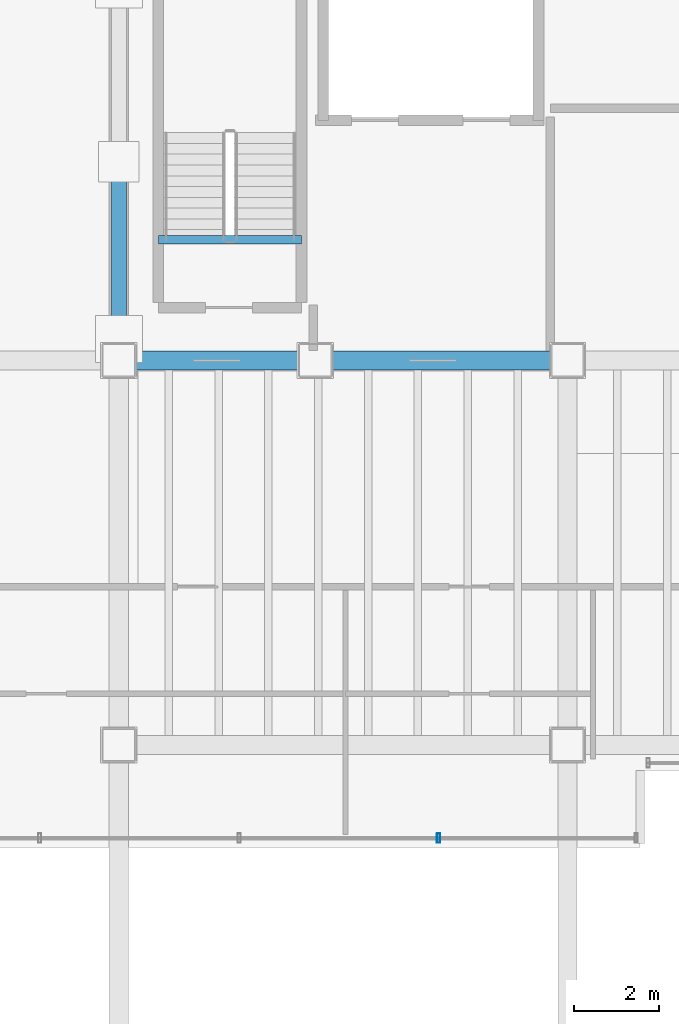
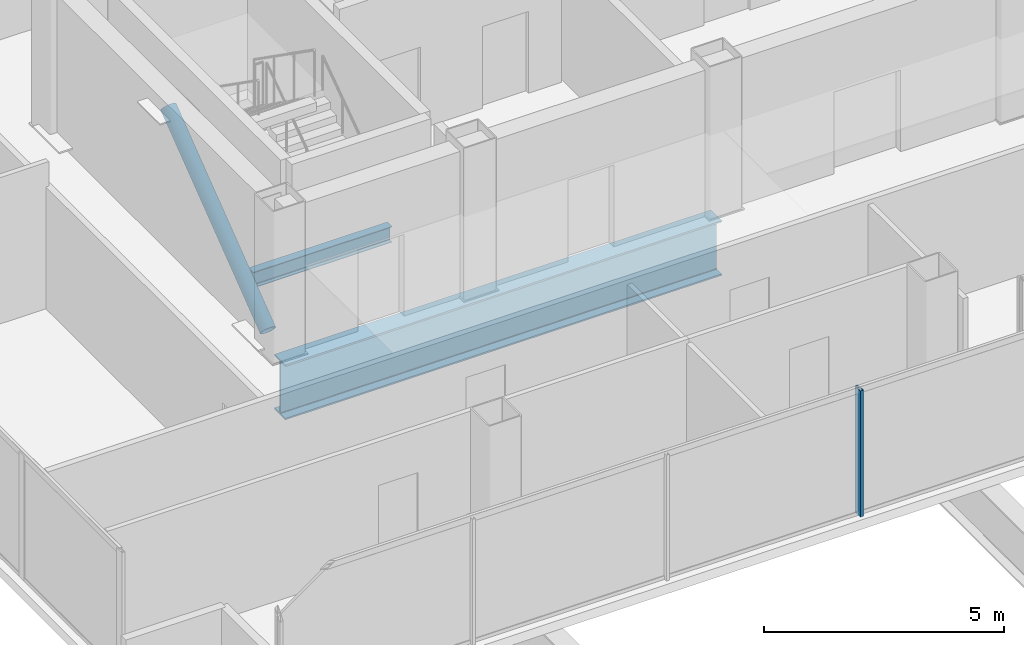
# One storey, part 5 of 19: 2 beams, 2 members, 1 element without a shape of its own.
"""IFC4 building model written with IfcOpenShell, lengths in metres."""

from ifc_helpers import new_model, si_unit, direction, frame, origin, origin_2d, place, context, subcontext, project, spatial, hollow_rectangle, hollow_circle, i_section, extrude, material, material_profile, profile_set, type_object, element, aggregate, save


model = new_model("IFC4")

# Units and contexts
model_context = context("Model", 3, precision=1e-05, world=origin(), true_north=direction((0.0, 1.0)))
body_context = subcontext(model_context, "Body", "Model", "MODEL_VIEW")
ifc_project = project(units=[si_unit("LENGTHUNIT", "METRE"), si_unit("AREAUNIT", "SQUARE_METRE"), si_unit("VOLUMEUNIT", "CUBIC_METRE"), si_unit("PLANEANGLEUNIT", "RADIAN"), si_unit("MASSUNIT", "GRAM", prefix="KILO")], contexts=[model_context])

# Site, building, storey
site_placement = place(None, origin())
site = spatial("IfcSite", under=ifc_project, at=site_placement, CompositionType="ELEMENT")
building_placement = place(site_placement, origin())
building = spatial("IfcBuilding", under=site, at=building_placement, Name="Noeulbin Bourse Tower", CompositionType="ELEMENT")
storey_placement = place(building_placement, frame((0.0, 0.0, 257.89990234375)))
storey = spatial("IfcBuildingStorey", under=building, at=storey_placement, Name="L64", CompositionType="ELEMENT", Elevation=257.89990234375)

# Beams
ifc_material_1 = material(Name="Steel S355", Category="steel")
ifc_material_profile_1 = material_profile(ifc_material_1, i_section(OverallWidth=0.199951171875, OverallDepth=0.39990234375, WebThickness=0.008056640625, FlangeThickness=0.012939453125, FilletRadius=0.01611328125, at=origin_2d()), Name="H-400x200x8x13", Category="LoadBearing")
ifc_profile_set_1 = profile_set([ifc_material_profile_1], Name="Steel S355")
beam_type_1 = type_object("IfcBeamType", Name="BM-SEC-400", PredefinedType="BEAM", material=ifc_profile_set_1)
beam_1_placement = place(storey_placement, frame((14.429931640625, 31.820068359375, -0.199951171875), z_axis=(1.0, 0.0, 0.0), x_axis=(0.0, 1.0, 0.0)))
element("IfcBeam", 1, at=beam_1_placement, inside=storey, type_object=beam_type_1, Name="Stair Threshold Trimmer Beam ST1-L64", PredefinedType="BEAM", context=body_context, shape_type="SweptSolid", body=[
    extrude(i_section(OverallWidth=0.199951171875, OverallDepth=0.39990234375, WebThickness=0.008056640625, FlangeThickness=0.012939453125, FilletRadius=0.01611328125, at=origin_2d()), origin(), (0.0, 0.0, 1.0), 3.340087890625),
])
ifc_material_2 = material(Name="Steel S460", Category="steel")
ifc_material_profile_2 = material_profile(ifc_material_2, i_section(OverallWidth=0.449951171875, OverallDepth=1.39990234375, WebThickness=0.02392578125, FlangeThickness=0.0400390625, FilletRadius=0.02392578125, at=origin_2d()), Name="PG-1400x450x24x40", Category="LoadBearing")
ifc_profile_set_2 = profile_set([ifc_material_profile_2], Name="Steel S460")
beam_type_2 = type_object("IfcBeamType", Name="BM-TRF-1400", PredefinedType="USERDEFINED", material=ifc_profile_set_2)
beam_2_placement = place(storey_placement, frame((13.5, 29.0, -0.93994140625), z_axis=(1.0, 0.0, 0.0), x_axis=(0.0, 1.0, 0.0)))
element("IfcBeam", 2, at=beam_2_placement, inside=storey, type_object=beam_type_2, Name="Tower Primary Girder EW L64-2.2", ObjectType="GIRDER", PredefinedType="USERDEFINED", context=body_context, shape_type="SweptSolid", body=[
    extrude(i_section(OverallWidth=0.449951171875, OverallDepth=1.39990234375, WebThickness=0.02392578125, FlangeThickness=0.0400390625, FilletRadius=0.02392578125, at=origin_2d()), origin(), (0.0, 0.0, 1.0), 10.5),
])

# Curtain wall, member
ifc_material_3 = material(Name="High-Selectivity Low-Iron Glazing", Category="glass")
curtain_wall_type = type_object("IfcCurtainWallType", Name="CW-SYS-4", PredefinedType="NOTDEFINED", material=ifc_material_3)
curtain_wall_placement = place(storey_placement, origin())
curtain_wall = element("IfcCurtainWall", 3, at=curtain_wall_placement, inside=storey, type_object=curtain_wall_type, Name="Unitised Curtain Wall CW-L64-S1", PredefinedType="NOTDEFINED")
ifc_material_4 = material(Name="Anodised Aluminium 6063-T6", Category="aluminium")
ifc_material_profile_3 = material_profile(ifc_material_4, hollow_rectangle(XDim=0.074951171875, YDim=0.219970703125, WallThickness=0.0048828125, InnerFilletRadius=0.00244140625, OuterFilletRadius=0.0048828125, at=origin_2d()), Name="ALU-MULL-75x220x5", Category="LoadBearing")
ifc_profile_set_3 = profile_set([ifc_material_profile_3], Name="Anodised Aluminium 6063-T6")
member_type_1 = type_object("IfcMemberType", Name="CW-SYS-4-MUL", PredefinedType="MULLION", material=ifc_profile_set_3)
member_1_placement = place(storey_placement, frame((20.982421875, 17.820068359375, -0.02001953125), z_axis=(0.0, 0.0, 1.0), x_axis=(1.0, 0.0, 0.0)))
member_1 = element("IfcMember", 4, at=member_1_placement, type_object=member_type_1, Name="Curtain Wall Mullion CW-L64-S1-M03", PredefinedType="MULLION", context=body_context, shape_type="SweptSolid", body=[
    extrude(hollow_rectangle(XDim=0.074951171875, YDim=0.219970703125, WallThickness=0.0048828125, InnerFilletRadius=0.00244140625, OuterFilletRadius=0.0048828125, at=origin_2d()), origin(), (0.0, 0.0, 1.0), 3.22021484375),
])
aggregate(curtain_wall, [member_1])

# Member
ifc_material_profile_4 = material_profile(ifc_material_1, hollow_circle(Radius=0.177734375, WallThickness=0.0126953125, at=origin_2d()), Name="CHS-355.6x12.7", Category="LoadBearing")
ifc_profile_set_4 = profile_set([ifc_material_profile_4], Name="Steel S355")
member_type_2 = type_object("IfcMemberType", Name="MEM-EXO-356", PredefinedType="BRACE", material=ifc_profile_set_4)
member_2_placement = place(storey_placement, frame((13.5, 29.5, 0.2001953125), z_axis=(0.0, 0.794684163041, 0.607023130541), x_axis=(-1.0, 0.0, 0.0)))
element("IfcMember", 5, at=member_2_placement, inside=storey, type_object=member_type_2, Name="Core Flank Chevron Brace XT-L64-W1", PredefinedType="BRACE", context=body_context, shape_type="SweptSolid", body=[
    extrude(hollow_circle(Radius=0.177734375, WallThickness=0.0126953125, at=origin_2d()), origin(), (0.0, 0.0, 1.0), 5.22216796875),
])

save(model, "model.ifc")
